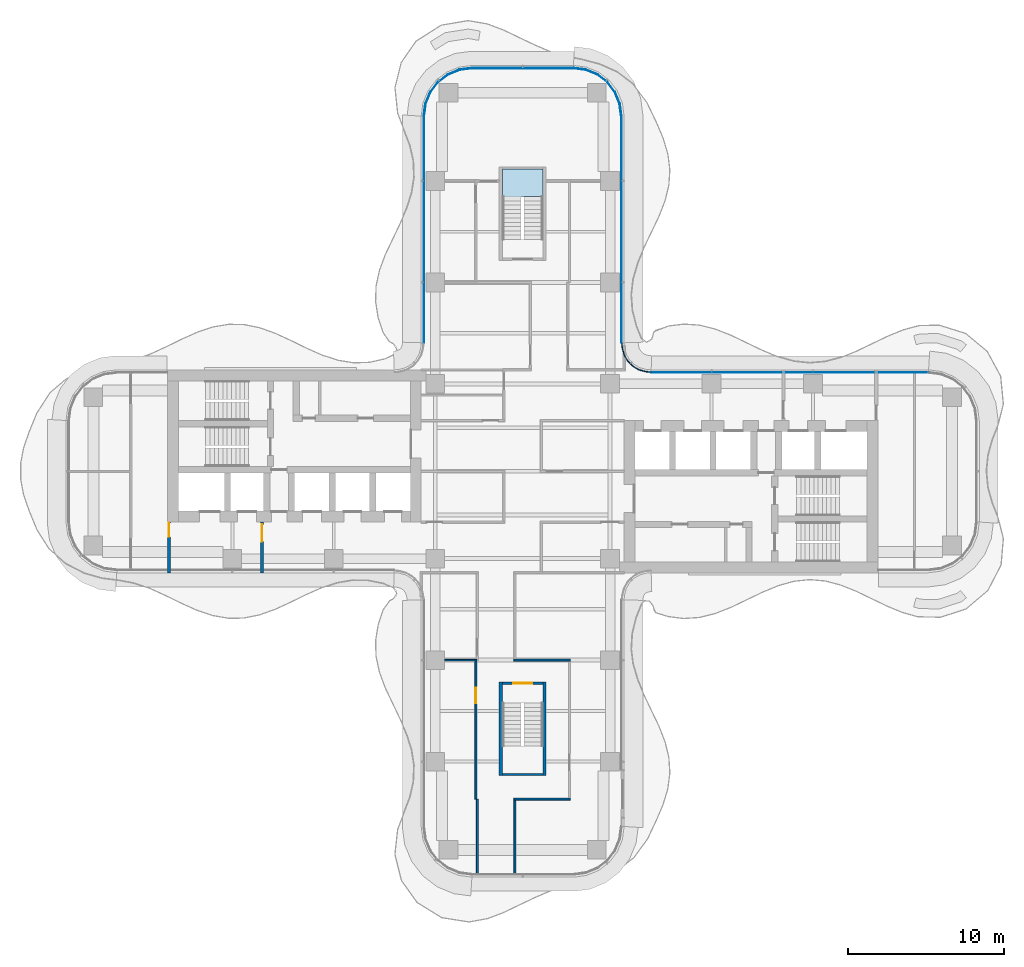
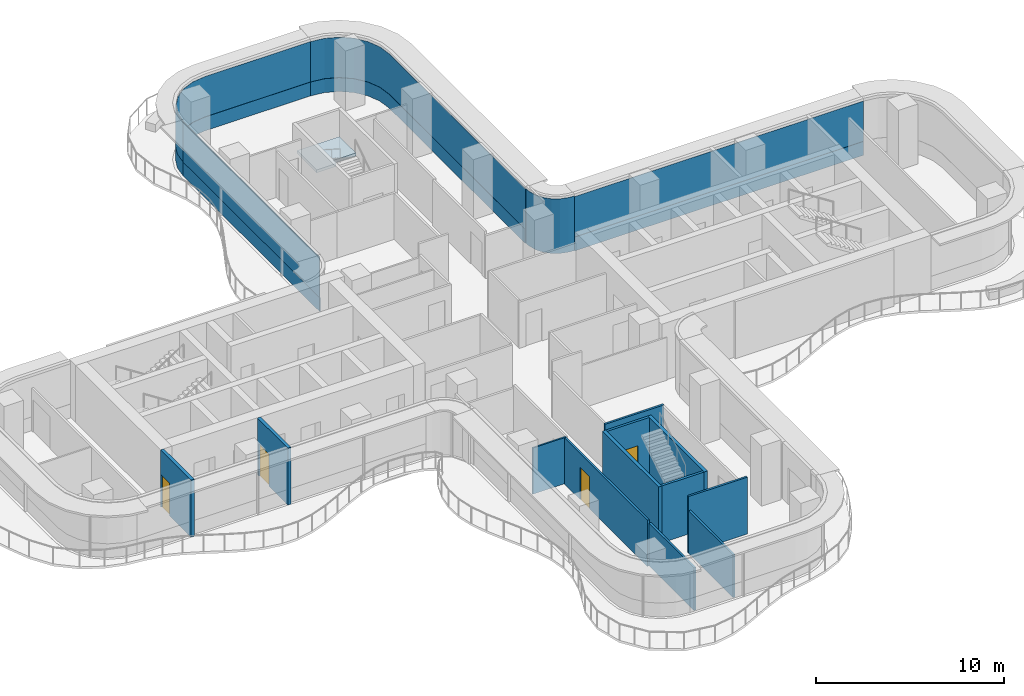
# One storey, part 12 of 18: 12 walls, 9 plates, 4 doors, 1 slab, 4 openings, 6 elements without a shape of their own.
"""IFC4 building model written with IfcOpenShell, lengths in metres."""

from ifc_helpers import new_model, si_unit, direction, frame, frame_2d, origin, place, context, subcontext, project, spatial, polyline, rectangle, outline, extrude, source, transform, mapped, material, layer, layer_set, type_object, element, fill, aggregate, save


model = new_model("IFC4")

# Units and contexts
model_context = context("Model", 3, precision=1e-05, world=origin(), true_north=direction((0.0, 1.0)))
body_context = subcontext(model_context, "Body", "Model", "MODEL_VIEW")
ifc_project = project(units=[si_unit("LENGTHUNIT", "METRE"), si_unit("AREAUNIT", "SQUARE_METRE"), si_unit("VOLUMEUNIT", "CUBIC_METRE"), si_unit("PLANEANGLEUNIT", "RADIAN"), si_unit("MASSUNIT", "GRAM", prefix="KILO")], contexts=[model_context])

# Site, building, storey
site_placement = place(None, origin())
site = spatial("IfcSite", under=ifc_project, at=site_placement, CompositionType="ELEMENT")
building_placement = place(site_placement, origin())
building = spatial("IfcBuilding", under=site, at=building_placement, Name="Trellis Farm Tower", CompositionType="ELEMENT")
storey_placement = place(building_placement, frame((0.0, 0.0, 169.800048828125)))
storey = spatial("IfcBuildingStorey", under=building, at=storey_placement, Name="L36", CompositionType="ELEMENT", Elevation=169.800048828125)

# Stair, slab
ifc_material_1 = material(Name="Concrete C50/60", Category="concrete")
stair_type = type_object("IfcStairType", Name="CORE EXIT STAIR 22 RISERS 177 MM", PredefinedType="HALF_TURN_STAIR", material=ifc_material_1)
placement_1 = place(storey_placement, origin())
stair = element("IfcStair", 1, at=placement_1, inside=storey, type_object=stair_type, Name="Exit stair N", PredefinedType="HALF_TURN_STAIR")
ifc_layer_1 = layer(ifc_material_1, 0.18994140625)
ifc_layer_set_1 = layer_set([ifc_layer_1], Name="CORE STAIR LANDING 190 CONCRETE C50/60")
slab_type = type_object("IfcSlabType", Name="CORE STAIR LANDING 190 CONCRETE C50/60", PredefinedType="LANDING", material=ifc_layer_set_1)
shared_shape_1 = source(origin(), body_context, "Body", "SweptSolid", [
    extrude(outline(polyline([(-0.10009765625, 17.27197265625), (-1.300048828125, 17.27197265625), (-1.300048828125, 17.60009765625), (-1.300048828125, 19.35009765625), (1.300048828125, 19.35009765625), (1.300048828125, 17.60009765625), (1.300048828125, 17.590087890625), (0.10009765625, 17.590087890625), (0.10009765625, 17.60009765625), (-0.10009765625, 17.60009765625), (-0.10009765625, 17.27197265625)])), origin(), (0.0, 0.0, 1.0), 0.18994140625),
])
slab_placement = place(storey_placement, frame((0.0, 0.0, 1.760009765625)))
slab = element("IfcSlab", 2, at=slab_placement, type_object=slab_type, Name="STN landing 1", PredefinedType="LANDING", context=body_context, shape_type="MappedRepresentation", body=[
    mapped(shared_shape_1, transform((0.0, 0.0, 0.0))),
])
aggregate(stair, [slab])

# Curtain wall, plate
ifc_material_2 = material(Name="Aluminium and glass curtain wall", Category="aluminium")
ifc_layer_2 = layer(ifc_material_2, 0.18994140625)
ifc_layer_set_2 = layer_set([ifc_layer_2], Name="RIBBON CURTAIN WALL CW1")
curtain_wall_type_1 = type_object("IfcCurtainWallType", Name="RIBBON CURTAIN WALL CW1", PredefinedType="NOTDEFINED", material=ifc_layer_set_2)
curtain_wall_1 = element("IfcCurtainWall", 3, at=placement_1, inside=storey, type_object=curtain_wall_type_1, Name="CW1 009", PredefinedType="NOTDEFINED")
ifc_material_3 = material(Name="Sandstone faced insulated panel", Category="masonry")
ifc_layer_3 = layer(ifc_material_3, 0.050048828125)
ifc_layer_set_3 = layer_set([ifc_layer_3], Name="CW1 STONE SPANDREL PANEL 50")
plate_type_1 = type_object("IfcPlateType", Name="CW1 STONE SPANDREL PANEL 50", PredefinedType="CURTAIN_PANEL", material=ifc_layer_set_3)
shared_shape_2 = source(origin(), body_context, "Body", "SweptSolid", [
    extrude(outline(polyline([(6.35009765625, 8.2265625), (6.35009765625, 22.740234375), (6.2431640625, 23.552001953125), (5.93359375, 24.29931640625), (5.441162109375, 24.941162109375), (4.79931640625, 25.43359375), (4.052001953125, 25.7431640625), (3.240234375, 25.85009765625), (3.23681640625, 25.800048828125), (4.0390625, 25.6943359375), (4.774169921875, 25.389892578125), (5.405517578125, 24.905517578125), (5.889892578125, 24.274169921875), (6.1943359375, 23.5390625), (6.300048828125, 22.73681640625), (6.300048828125, 8.224853515625), (6.35009765625, 8.2265625)])), origin(), (0.0, 0.0, 1.0), 0.89990234375),
])
plate_1 = element("IfcPlate", 4, at=placement_1, type_object=plate_type_1, Name="PS1 009", PredefinedType="CURTAIN_PANEL", context=body_context, shape_type="MappedRepresentation", body=[
    mapped(shared_shape_2, transform((0.0, 0.0, 0.0))),
])

curtain_wall_2 = element("IfcCurtainWall", 5, at=placement_1, inside=storey, type_object=curtain_wall_type_1, Name="CW1 011", PredefinedType="NOTDEFINED")
shared_shape_3 = source(origin(), body_context, "Body", "SweptSolid", [
    extrude(outline(polyline([(-6.35009765625, 22.740234375), (-6.35009765625, 8.2265625), (-6.300048828125, 8.224853515625), (-6.300048828125, 22.73681640625), (-6.35009765625, 22.740234375)])), origin(), (0.0, 0.0, 1.0), 0.89990234375),
])
plate_2 = element("IfcPlate", 6, at=placement_1, type_object=plate_type_1, Name="PS1 011", PredefinedType="CURTAIN_PANEL", context=body_context, shape_type="MappedRepresentation", body=[
    mapped(shared_shape_3, transform((0.0, 0.0, 0.0))),
])

curtain_wall_3 = element("IfcCurtainWall", 7, at=placement_1, inside=storey, type_object=curtain_wall_type_1, Name="CW1 010", PredefinedType="NOTDEFINED")
shared_shape_4 = source(origin(), body_context, "Body", "SweptSolid", [
    extrude(outline(polyline([(3.240234375, 25.85009765625), (-3.240234375, 25.85009765625), (-4.052001953125, 25.7431640625), (-4.79931640625, 25.43359375), (-5.441162109375, 24.941162109375), (-5.93359375, 24.29931640625), (-6.2431640625, 23.552001953125), (-6.35009765625, 22.740234375), (-6.300048828125, 22.73681640625), (-6.1943359375, 23.5390625), (-5.889892578125, 24.274169921875), (-5.405517578125, 24.905517578125), (-4.774169921875, 25.389892578125), (-4.0390625, 25.6943359375), (-3.23681640625, 25.800048828125), (3.23681640625, 25.800048828125), (3.240234375, 25.85009765625)])), origin(), (0.0, 0.0, 1.0), 0.89990234375),
])
plate_3 = element("IfcPlate", 8, at=placement_1, type_object=plate_type_1, Name="PS1 010", PredefinedType="CURTAIN_PANEL", context=body_context, shape_type="MappedRepresentation", body=[
    mapped(shared_shape_4, transform((0.0, 0.0, 0.0))),
])

curtain_wall_4 = element("IfcCurtainWall", 9, at=placement_1, inside=storey, type_object=curtain_wall_type_1, Name="CW1 008", PredefinedType="NOTDEFINED")
shared_shape_5 = source(origin(), body_context, "Body", "SweptSolid", [
    extrude(outline(polyline([(25.990234375, 6.35009765625), (8.2265625, 6.35009765625), (8.224853515625, 6.300048828125), (25.98681640625, 6.300048828125), (25.990234375, 6.35009765625)])), origin(), (0.0, 0.0, 1.0), 0.89990234375),
])
plate_4 = element("IfcPlate", 10, at=placement_1, type_object=plate_type_1, Name="PS1 008", PredefinedType="CURTAIN_PANEL", context=body_context, shape_type="MappedRepresentation", body=[
    mapped(shared_shape_5, transform((0.0, 0.0, 0.0))),
])

ifc_layer_4 = layer(ifc_material_2, 0.166015625)
ifc_layer_set_4 = layer_set([ifc_layer_4], Name="WINTER GARDEN CURTAIN WALL CW3")
curtain_wall_type_2 = type_object("IfcCurtainWallType", Name="WINTER GARDEN CURTAIN WALL CW3", PredefinedType="NOTDEFINED", material=ifc_layer_set_4)
curtain_wall_5 = element("IfcCurtainWall", 11, at=placement_1, inside=storey, type_object=curtain_wall_type_2, Name="CW3 003", PredefinedType="NOTDEFINED")
ifc_material_4 = material(Name="Clear insulated glass", Category="glass")
ifc_layer_5 = layer(ifc_material_4, 0.0458984375)
ifc_layer_set_5 = layer_set([ifc_layer_5], Name="CW3 GLASS PANEL 46")
plate_type_2 = type_object("IfcPlateType", Name="CW3 GLASS PANEL 46", PredefinedType="CURTAIN_PANEL", material=ifc_layer_set_5)
shared_shape_6 = source(origin(), body_context, "Body", "SweptSolid", [
    extrude(outline(polyline([(8.2275390625, 6.3798828125), (8.0078125, 6.394287109375), (7.89208984375, 6.40966796875), (7.462158203125, 6.52490234375), (7.070556640625, 6.7509765625), (6.7509765625, 7.070556640625), (6.52490234375, 7.462158203125), (6.40966796875, 7.89208984375), (6.394287109375, 8.0078125), (6.3798828125, 8.2275390625), (6.333984375, 8.22607421875), (6.3486328125, 8.003173828125), (6.364501953125, 7.883056640625), (6.48193359375, 7.4443359375), (6.714111328125, 7.04248046875), (7.04248046875, 6.714111328125), (7.4443359375, 6.48193359375), (7.883056640625, 6.364501953125), (8.003173828125, 6.3486328125), (8.22607421875, 6.333984375), (8.2275390625, 6.3798828125)])), origin(), (0.0, 0.0, 1.0), 3.550048828125),
])
plate_5 = element("IfcPlate", 12, at=placement_1, type_object=plate_type_2, Name="PL3 003", PredefinedType="CURTAIN_PANEL", context=body_context, shape_type="MappedRepresentation", body=[
    mapped(shared_shape_6, transform((0.0, 0.0, 0.0))),
])
aggregate(curtain_wall_5, [plate_5])

# Plate
ifc_layer_6 = layer(ifc_material_4, 0.0400390625)
ifc_layer_set_6 = layer_set([ifc_layer_6], Name="CW1 GLASS PANEL 40")
plate_type_3 = type_object("IfcPlateType", Name="CW1 GLASS PANEL 40", PredefinedType="CURTAIN_PANEL", material=ifc_layer_set_6)
shared_shape_7 = source(origin(), body_context, "Body", "SweptSolid", [
    extrude(outline(polyline([(25.990234375, 6.35009765625), (8.2265625, 6.35009765625), (8.22509765625, 6.31005859375), (25.987548828125, 6.31005859375), (25.990234375, 6.35009765625)])), origin(), (0.0, 0.0, 1.0), 2.6201171875),
])
placement_2 = place(storey_placement, frame((0.0, 0.0, 0.89990234375)))
plate_6 = element("IfcPlate", 13, at=placement_2, type_object=plate_type_3, Name="PL1 008", PredefinedType="CURTAIN_PANEL", context=body_context, shape_type="MappedRepresentation", body=[
    mapped(shared_shape_7, transform((0.0, 0.0, 0.0))),
])

aggregate(curtain_wall_4, [plate_6, plate_4])

shared_shape_8 = source(origin(), body_context, "Body", "SweptSolid", [
    extrude(outline(polyline([(6.35009765625, 8.2265625), (6.35009765625, 22.740234375), (6.2431640625, 23.552001953125), (5.93359375, 24.29931640625), (5.441162109375, 24.941162109375), (4.79931640625, 25.43359375), (4.052001953125, 25.7431640625), (3.240234375, 25.85009765625), (3.237548828125, 25.81005859375), (4.04150390625, 25.7041015625), (4.779296875, 25.398681640625), (5.41259765625, 24.91259765625), (5.898681640625, 24.279296875), (6.2041015625, 23.54150390625), (6.31005859375, 22.737548828125), (6.31005859375, 8.22509765625), (6.35009765625, 8.2265625)])), origin(), (0.0, 0.0, 1.0), 2.6201171875),
])
plate_7 = element("IfcPlate", 14, at=placement_2, type_object=plate_type_3, Name="PL1 009", PredefinedType="CURTAIN_PANEL", context=body_context, shape_type="MappedRepresentation", body=[
    mapped(shared_shape_8, transform((0.0, 0.0, 0.0))),
])

aggregate(curtain_wall_1, [plate_7, plate_1])

shared_shape_9 = source(origin(), body_context, "Body", "SweptSolid", [
    extrude(outline(polyline([(3.240234375, 25.85009765625), (-3.240234375, 25.85009765625), (-4.052001953125, 25.7431640625), (-4.79931640625, 25.43359375), (-5.441162109375, 24.941162109375), (-5.93359375, 24.29931640625), (-6.2431640625, 23.552001953125), (-6.35009765625, 22.740234375), (-6.31005859375, 22.737548828125), (-6.2041015625, 23.54150390625), (-5.898681640625, 24.279296875), (-5.41259765625, 24.91259765625), (-4.779296875, 25.398681640625), (-4.04150390625, 25.7041015625), (-3.237548828125, 25.81005859375), (3.237548828125, 25.81005859375), (3.240234375, 25.85009765625)])), origin(), (0.0, 0.0, 1.0), 2.6201171875),
])
plate_8 = element("IfcPlate", 15, at=placement_2, type_object=plate_type_3, Name="PL1 010", PredefinedType="CURTAIN_PANEL", context=body_context, shape_type="MappedRepresentation", body=[
    mapped(shared_shape_9, transform((0.0, 0.0, 0.0))),
])

aggregate(curtain_wall_3, [plate_8, plate_3])

shared_shape_10 = source(origin(), body_context, "Body", "SweptSolid", [
    extrude(outline(polyline([(-6.35009765625, 22.740234375), (-6.35009765625, 8.2265625), (-6.31005859375, 8.22509765625), (-6.31005859375, 22.737548828125), (-6.35009765625, 22.740234375)])), origin(), (0.0, 0.0, 1.0), 2.6201171875),
])
plate_9 = element("IfcPlate", 16, at=placement_2, type_object=plate_type_3, Name="PL1 011", PredefinedType="CURTAIN_PANEL", context=body_context, shape_type="MappedRepresentation", body=[
    mapped(shared_shape_10, transform((0.0, 0.0, 0.0))),
])

aggregate(curtain_wall_2, [plate_9, plate_2])

# Wall, opening, door
ifc_material_5 = material(Name="Masonry blockwork", Category="masonry")
ifc_layer_7 = layer(ifc_material_5, 0.199951171875)
ifc_layer_set_7 = layer_set([ifc_layer_7], Name="FIRE LOBBY PARTITION 200 BLOCKWORK")
wall_type_1 = type_object("IfcWallType", Name="FIRE LOBBY PARTITION 200 BLOCKWORK", PredefinedType="PARTITIONING", material=ifc_layer_set_7)
shared_shape_11 = source(origin(), body_context, "Body", "SweptSolid", [
    extrude(rectangle(XDim=3.25, YDim=0.199951171875, at=frame_2d((1.625, 0.0))), origin(), (0.0, 0.0, 1.0), 3.699951171875),
])
wall_1_placement = place(storey_placement, frame((-16.699951171875, -3.25, 0.0), z_axis=(0.0, 0.0, 1.0), x_axis=(0.0, -1.0, 0.0)))
wall_1 = element("IfcWall", 17, at=wall_1_placement, inside=storey, type_object=wall_type_1, Name="Fire-fighting lobby partition", PredefinedType="PARTITIONING", context=body_context, shape_type="MappedRepresentation", body=[
    mapped(shared_shape_11, transform((0.0, 0.0, 0.0))),
])
shared_shape_12 = source(origin(), body_context, "Body", "SweptSolid", [
    extrude(rectangle(XDim=1.10009765625, YDim=2.10009765625, at=frame_2d((0.550048828125, 1.050048828125))), frame((0.0, 0.110107421875, 0.0), z_axis=(0.0, -1.0, 0.0), x_axis=(1.0, 0.0, 0.0)), (0.0, 0.0, 1.0), 0.22021484375),
])
opening_1_placement = place(wall_1_placement, frame((0.14990234375, 0.0, 0.0)))
opening_1 = element("IfcOpeningElement", 18, at=opening_1_placement, cuts=wall_1, Name="Opening DC93", PredefinedType="OPENING", context=body_context, shape_type="MappedRepresentation", body=[
    mapped(shared_shape_12, transform((0.0, 0.0, 0.0))),
])
ifc_material_6 = material(Name="Steel", Category="steel")
door_type_1 = type_object("IfcDoorType", Name="CORE FIRE DOOR 1100 X 2100", OperationType="NOTDEFINED", PredefinedType="DOOR", material=ifc_material_6)
shared_shape_13 = source(origin(), body_context, "Body", "SweptSolid", [
    extrude(rectangle(XDim=1.10009765625, YDim=2.10009765625, at=frame_2d((0.550048828125, 1.050048828125))), frame((0.0, 0.02490234375, 0.0), z_axis=(0.0, -1.0, 0.0), x_axis=(1.0, 0.0, 0.0)), (0.0, 0.0, 1.0), 0.050048828125),
])
door_1_placement = place(opening_1_placement, origin())
door_1 = element("IfcDoor", 19, at=door_1_placement, inside=storey, type_object=door_type_1, Name="Core door", OperationType="SINGLE_SWING_RIGHT", OverallHeight=2.10009765625, OverallWidth=1.10009765625, PredefinedType="DOOR", context=body_context, shape_type="MappedRepresentation", body=[
    mapped(shared_shape_13, transform((0.0, 0.0, 0.0))),
])
fill(opening_1, door_1)

wall_2_placement = place(storey_placement, frame((-22.64990234375, -3.25, 0.0), z_axis=(0.0, 0.0, 1.0), x_axis=(0.0, -1.0, 0.0)))
wall_2 = element("IfcWall", 20, at=wall_2_placement, inside=storey, type_object=wall_type_1, Name="Fire-fighting lobby partition", PredefinedType="PARTITIONING", context=body_context, shape_type="MappedRepresentation", body=[
    mapped(shared_shape_11, transform((0.0, 0.0, 0.0))),
])
shared_shape_14 = source(origin(), body_context, "Body", "SweptSolid", [
    extrude(rectangle(XDim=0.89990234375, YDim=2.10009765625, at=frame_2d((0.449951171875, 1.050048828125))), frame((0.0, 0.110107421875, 0.0), z_axis=(0.0, -1.0, 0.0), x_axis=(1.0, 0.0, 0.0)), (0.0, 0.0, 1.0), 0.22021484375),
])
opening_2_placement = place(wall_2_placement, frame((0.050048828125, 0.0, 0.0)))
opening_2 = element("IfcOpeningElement", 21, at=opening_2_placement, cuts=wall_2, Name="Opening DC94", PredefinedType="OPENING", context=body_context, shape_type="MappedRepresentation", body=[
    mapped(shared_shape_14, transform((0.0, 0.0, 0.0))),
])
door_type_2 = type_object("IfcDoorType", Name="CORE FIRE DOOR 900 X 2100", OperationType="NOTDEFINED", PredefinedType="DOOR", material=ifc_material_6)
shared_shape_15 = source(origin(), body_context, "Body", "SweptSolid", [
    extrude(rectangle(XDim=0.89990234375, YDim=2.10009765625, at=frame_2d((0.449951171875, 1.050048828125))), frame((0.0, 0.02490234375, 0.0), z_axis=(0.0, -1.0, 0.0), x_axis=(1.0, 0.0, 0.0)), (0.0, 0.0, 1.0), 0.050048828125),
])
door_2_placement = place(opening_2_placement, origin())
door_2 = element("IfcDoor", 22, at=door_2_placement, inside=storey, type_object=door_type_2, Name="Core door", OperationType="SINGLE_SWING_RIGHT", OverallHeight=2.10009765625, OverallWidth=0.89990234375, PredefinedType="DOOR", context=body_context, shape_type="MappedRepresentation", body=[
    mapped(shared_shape_15, transform((0.0, 0.0, 0.0))),
])
fill(opening_2, door_2)

# Walls
ifc_material_7 = material(Name="Concrete C70/85", Category="concrete")
ifc_layer_8 = layer(ifc_material_7, 0.199951171875)
ifc_layer_set_8 = layer_set([ifc_layer_8], Name="CORE STAIR ENCLOSURE WALL 200 CONCRETE C70/85")
wall_type_2 = type_object("IfcWallType", Name="CORE STAIR ENCLOSURE WALL 200 CONCRETE C70/85", PredefinedType="SHEAR", material=ifc_layer_set_8)
shared_shape_16 = source(origin(), body_context, "Body", "SweptSolid", [
    extrude(rectangle(XDim=6.0, YDim=0.199951171875, at=frame_2d((3.0, 0.0))), origin(), (0.0, 0.0, 1.0), 3.699951171875),
])
for number, where, z_axis, x_axis, name in (
    (23, (1.39990234375, -13.5, 0.0), (0.0, 0.0, 1.0), (0.0, -1.0, 0.0), "Stair enclosure wall"),
    (24, (-1.39990234375, -13.5, 0.0), (0.0, 0.0, 1.0), (0.0, -1.0, 0.0), "Stair enclosure wall"),
):
    element("IfcWall", number, at=place(storey_placement, frame(where, z_axis=z_axis, x_axis=x_axis)), inside=storey, type_object=wall_type_2, Name=name, PredefinedType="SHEAR", context=body_context, shape_type="MappedRepresentation", body=[
        mapped(shared_shape_16, transform((0.0, 0.0, 0.0))),
    ])

# Wall, opening, door
ifc_layer_9 = layer(ifc_material_7, 0.14990234375)
ifc_layer_set_9 = layer_set([ifc_layer_9], Name="CORE STAIR ENCLOSURE WALL 150 CONCRETE C70/85")
wall_type_3 = type_object("IfcWallType", Name="CORE STAIR ENCLOSURE WALL 150 CONCRETE C70/85", PredefinedType="SHEAR", material=ifc_layer_set_9)
shared_shape_17 = source(origin(), body_context, "Body", "SweptSolid", [
    extrude(rectangle(XDim=2.60009765625, YDim=0.14990234375, at=frame_2d((1.300048828125, 0.0))), origin(), (0.0, 0.0, 1.0), 3.699951171875),
])
wall_3_placement = place(storey_placement, frame((1.300048828125, -13.574951171875, 0.0), z_axis=(0.0, 0.0, 1.0), x_axis=(-1.0, 0.0, 0.0)))
wall_3 = element("IfcWall", 25, at=wall_3_placement, inside=storey, type_object=wall_type_3, Name="Stair enclosure wall", PredefinedType="SHEAR", context=body_context, shape_type="MappedRepresentation", body=[
    mapped(shared_shape_17, transform((0.0, 0.0, 0.0))),
])
shared_shape_18 = source(origin(), body_context, "Body", "SweptSolid", [
    extrude(rectangle(XDim=1.199951171875, YDim=2.10009765625, at=frame_2d((0.60009765625, 1.050048828125))), frame((0.0, 0.0849609375, 0.0), z_axis=(0.0, -1.0, 0.0), x_axis=(1.0, 0.0, 0.0)), (0.0, 0.0, 1.0), 0.169921875),
])
opening_3_placement = place(wall_3_placement, frame((0.699951171875, 0.0, 0.0)))
opening_3 = element("IfcOpeningElement", 26, at=opening_3_placement, cuts=wall_3, Name="Opening DC174", PredefinedType="OPENING", context=body_context, shape_type="MappedRepresentation", body=[
    mapped(shared_shape_18, transform((0.0, 0.0, 0.0))),
])
door_type_3 = type_object("IfcDoorType", Name="CORE FIRE DOOR 1200 X 2100", OperationType="NOTDEFINED", PredefinedType="DOOR", material=ifc_material_6)
shared_shape_19 = source(origin(), body_context, "Body", "SweptSolid", [
    extrude(rectangle(XDim=1.199951171875, YDim=2.10009765625, at=frame_2d((0.60009765625, 1.050048828125))), frame((0.0, 0.02490234375, 0.0), z_axis=(0.0, -1.0, 0.0), x_axis=(1.0, 0.0, 0.0)), (0.0, 0.0, 1.0), 0.050048828125),
])
door_3_placement = place(opening_3_placement, origin())
door_3 = element("IfcDoor", 27, at=door_3_placement, inside=storey, type_object=door_type_3, Name="Core door", OperationType="SINGLE_SWING_RIGHT", OverallHeight=2.10009765625, OverallWidth=1.199951171875, PredefinedType="DOOR", context=body_context, shape_type="MappedRepresentation", body=[
    mapped(shared_shape_19, transform((0.0, 0.0, 0.0))),
])
fill(opening_3, door_3)

# Walls
wall_4_placement = place(storey_placement, frame((1.300048828125, -19.425048828125, 0.0), z_axis=(0.0, 0.0, 1.0), x_axis=(-1.0, 0.0, 0.0)))
element("IfcWall", 28, at=wall_4_placement, inside=storey, type_object=wall_type_3, Name="Stair enclosure wall", PredefinedType="SHEAR", context=body_context, shape_type="MappedRepresentation", body=[
    mapped(shared_shape_17, transform((0.0, 0.0, 0.0))),
])
ifc_material_8 = material(Name="Plasterboard on steel studs, mineral wool", Category="steel")
ifc_layer_10 = layer(ifc_material_8, 0.125)
ifc_layer_set_10 = layer_set([ifc_layer_10], Name="PARTITION 125 STUD EI 60")
wall_type_4 = type_object("IfcWallType", Name="PARTITION 125 STUD EI 60", PredefinedType="PARTITIONING", material=ifc_layer_set_10)
shared_shape_20 = source(origin(), body_context, "Body", "SweptSolid", [
    extrude(rectangle(XDim=4.800048828125, YDim=0.125, at=frame_2d((2.39990234375, 0.0))), origin(), (0.0, 0.0, 1.0), 2.780029296875),
])
wall_5_placement = place(storey_placement, frame((-2.89990234375, -25.800048828125, 0.0), z_axis=(0.0, 0.0, 1.0), x_axis=(0.0, 1.0, 0.0)))
element("IfcWall", 29, at=wall_5_placement, inside=storey, type_object=wall_type_4, Name="Partition PW1", PredefinedType="PARTITIONING", context=body_context, shape_type="MappedRepresentation", body=[
    mapped(shared_shape_20, transform((0.0, 0.0, 0.0))),
])
shared_shape_21 = source(origin(), body_context, "Body", "SweptSolid", [
    extrude(rectangle(XDim=4.737548828125, YDim=0.125, at=frame_2d((2.36865234375, 0.0))), origin(), (0.0, 0.0, 1.0), 2.780029296875),
])
wall_6_placement = place(storey_placement, frame((-0.5, -21.0625, 0.0), z_axis=(0.0, 0.0, 1.0), x_axis=(0.0, -1.0, 0.0)))
element("IfcWall", 30, at=wall_6_placement, inside=storey, type_object=wall_type_4, Name="Partition PW1", PredefinedType="PARTITIONING", context=body_context, shape_type="MappedRepresentation", body=[
    mapped(shared_shape_21, transform((0.0, 0.0, 0.0))),
])
shared_shape_22 = source(origin(), body_context, "Body", "SweptSolid", [
    extrude(rectangle(XDim=3.625, YDim=0.125, at=frame_2d((1.8125, 0.0))), origin(), (0.0, 0.0, 1.0), 3.699951171875),
])
wall_7_placement = place(storey_placement, frame((3.0625, -21.0, 0.0), z_axis=(0.0, 0.0, 1.0), x_axis=(-1.0, 0.0, 0.0)))
element("IfcWall", 31, at=wall_7_placement, inside=storey, type_object=wall_type_4, Name="Partition PW1", PredefinedType="PARTITIONING", context=body_context, shape_type="MappedRepresentation", body=[
    mapped(shared_shape_22, transform((0.0, 0.0, 0.0))),
])
ifc_material_9 = material(Name="Plasterboard on steel studs", Category="steel")
ifc_layer_11 = layer(ifc_material_9, 0.10009765625)
ifc_layer_set_11 = layer_set([ifc_layer_11], Name="PARTITION 100 STUD EI 30")
wall_type_5 = type_object("IfcWallType", Name="PARTITION 100 STUD EI 30", PredefinedType="PARTITIONING", material=ifc_layer_set_11)
shared_shape_23 = source(origin(), body_context, "Body", "SweptSolid", [
    extrude(rectangle(XDim=2.0625, YDim=0.10009765625, at=frame_2d((1.03125, 0.0))), origin(), (0.0, 0.0, 1.0), 2.996337890625),
])
wall_8_placement = place(storey_placement, frame((-5.0, -12.10009765625, 0.0), z_axis=(0.0, 0.0, 1.0), x_axis=(1.0, 0.0, 0.0)))
element("IfcWall", 32, at=wall_8_placement, inside=storey, type_object=wall_type_5, Name="Partition PW2", PredefinedType="PARTITIONING", context=body_context, shape_type="MappedRepresentation", body=[
    mapped(shared_shape_23, transform((0.0, 0.0, 0.0))),
])
shared_shape_24 = source(origin(), body_context, "Body", "SweptSolid", [
    extrude(rectangle(XDim=3.625, YDim=0.125, at=frame_2d((1.8125, 0.0))), origin(), (0.0, 0.0, 1.0), 2.996337890625),
])
wall_9_placement = place(storey_placement, frame((-0.5625, -12.10009765625, 0.0), z_axis=(0.0, 0.0, 1.0), x_axis=(1.0, 0.0, 0.0)))
element("IfcWall", 33, at=wall_9_placement, inside=storey, type_object=wall_type_4, Name="Partition PW1", PredefinedType="PARTITIONING", context=body_context, shape_type="MappedRepresentation", body=[
    mapped(shared_shape_24, transform((0.0, 0.0, 0.0))),
])

# Wall, opening, door
shared_shape_25 = source(origin(), body_context, "Body", "SweptSolid", [
    extrude(rectangle(XDim=8.85009765625, YDim=0.125, at=frame_2d((4.425048828125, 0.0))), origin(), (0.0, 0.0, 1.0), 2.996337890625),
])
wall_10_placement = place(storey_placement, frame((-3.0, -21.0, 0.0), z_axis=(0.0, 0.0, 1.0), x_axis=(0.0, 1.0, 0.0)))
wall_10 = element("IfcWall", 34, at=wall_10_placement, inside=storey, type_object=wall_type_4, Name="Partition PW1", PredefinedType="PARTITIONING", context=body_context, shape_type="MappedRepresentation", body=[
    mapped(shared_shape_25, transform((0.0, 0.0, 0.0))),
])
shared_shape_26 = source(origin(), body_context, "Body", "SweptSolid", [
    extrude(rectangle(XDim=1.0, YDim=2.10009765625, at=frame_2d((0.5, 1.050048828125))), frame((0.0, 0.072509765625, 0.0), z_axis=(0.0, -1.0, 0.0), x_axis=(1.0, 0.0, 0.0)), (0.0, 0.0, 1.0), 0.14501953125),
])
opening_4_placement = place(wall_10_placement, frame((6.14990234375, 0.0, 0.0)))
opening_4 = element("IfcOpeningElement", 35, at=opening_4_placement, cuts=wall_10, Name="Opening D102", PredefinedType="OPENING", context=body_context, shape_type="MappedRepresentation", body=[
    mapped(shared_shape_26, transform((0.0, 0.0, 0.0))),
])
ifc_material_10 = material(Name="Fire-rated timber door leaf in a hollow metal frame", Category="wood")
door_type_4 = type_object("IfcDoorType", Name="DOOR 1000x2100 FD30S", OperationType="NOTDEFINED", PredefinedType="DOOR", material=ifc_material_10)
shared_shape_27 = source(origin(), body_context, "Body", "SweptSolid", [
    extrude(rectangle(XDim=1.0, YDim=2.10009765625, at=frame_2d((0.5, 1.050048828125))), frame((0.0, 0.02490234375, 0.0), z_axis=(0.0, -1.0, 0.0), x_axis=(1.0, 0.0, 0.0)), (0.0, 0.0, 1.0), 0.050048828125),
])
door_4_placement = place(opening_4_placement, origin())
door_4 = element("IfcDoor", 36, at=door_4_placement, inside=storey, type_object=door_type_4, Name="Door D102", OperationType="SINGLE_SWING_RIGHT", OverallHeight=2.10009765625, OverallWidth=1.0, PredefinedType="DOOR", context=body_context, shape_type="MappedRepresentation", body=[
    mapped(shared_shape_27, transform((0.0, 0.0, 0.0))),
])
fill(opening_4, door_4)

save(model, "model.ifc")
